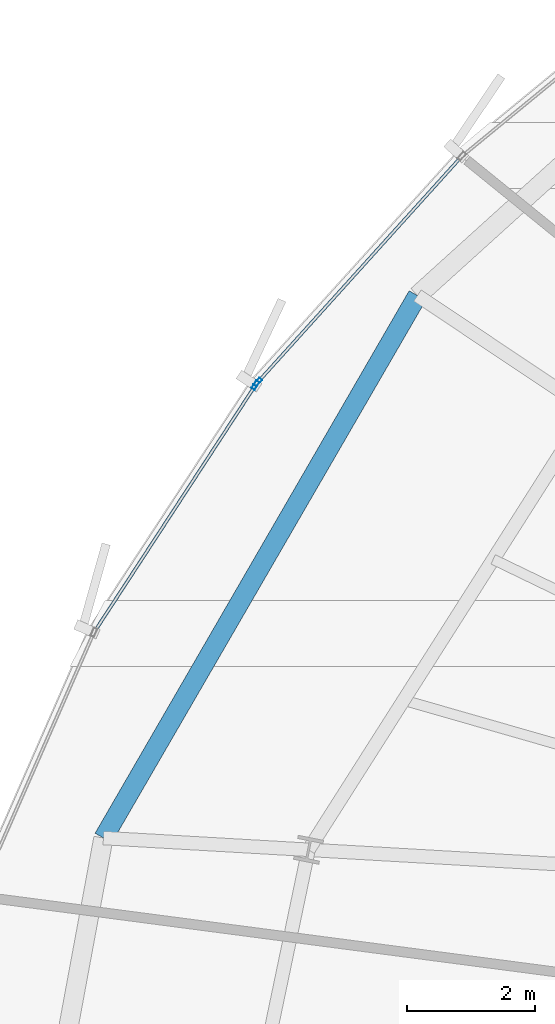
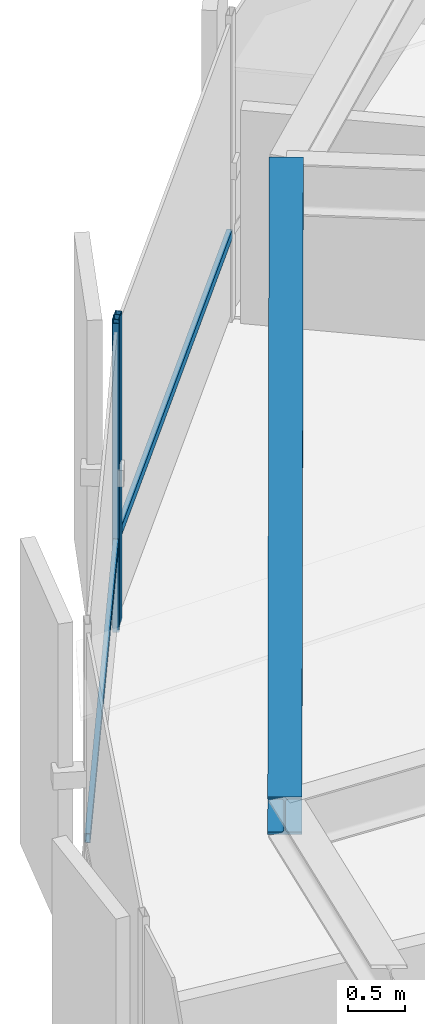
# One storey, part 17 of 36: 4 members, 1 beam, 2 elements without a shape of their own.
"""IFC4 building model written with IfcOpenShell, lengths in metres."""

from ifc_helpers import new_model, si_unit, direction, frame, origin, origin_2d, place, context, subcontext, project, spatial, hollow_rectangle, i_section, extrude, source, transform, mapped, material, layer, layer_set, material_profile, profile_set, type_object, element, aggregate, save


model = new_model("IFC4")

# Units and contexts
model_context = context("Model", 3, precision=1e-05, world=origin(), true_north=direction((0.0, 1.0)))
body_context = subcontext(model_context, "Body", "Model", "MODEL_VIEW")
ifc_project = project(units=[si_unit("LENGTHUNIT", "METRE"), si_unit("AREAUNIT", "SQUARE_METRE"), si_unit("VOLUMEUNIT", "CUBIC_METRE"), si_unit("PLANEANGLEUNIT", "RADIAN"), si_unit("MASSUNIT", "GRAM", prefix="KILO"), si_unit("THERMODYNAMICTEMPERATUREUNIT", "KELVIN")], contexts=[model_context])

# Site, building, storey
site_placement = place(None, origin())
site = spatial("IfcSite", under=ifc_project, at=site_placement, CompositionType="ELEMENT")
building_placement = place(site_placement, origin())
building = spatial("IfcBuilding", under=site, at=building_placement, Name="Kethvar Cultural Tower", CompositionType="ELEMENT")
storey_placement = place(building_placement, frame((0.0, 0.0, 143.0)))
storey = spatial("IfcBuildingStorey", under=building, at=storey_placement, Name="L36", CompositionType="ELEMENT", Elevation=143.0)

# Beam
ifc_material_1 = material(Name="Steel S355J2", Category="steel")
ifc_material_profile_1 = material_profile(ifc_material_1, i_section(OverallWidth=0.300048828125, OverallDepth=0.39990234375, WebThickness=0.013427734375, FlangeThickness=0.02392578125, FilletRadius=0.027099609375, at=origin_2d()), Name="Steel S355J2 — HEB400")
ifc_profile_set_1 = profile_set([ifc_material_profile_1], Name="Steel S355J2 — HEB400")
beam_type = type_object("IfcBeamType", Name="BM-SP400", PredefinedType="SPANDREL", material=ifc_profile_set_1)
shared_shape_1 = source(origin(), body_context, "Body", "SweptSolid", [
    extrude(i_section(OverallWidth=0.300048828125, OverallDepth=0.39990234375, WebThickness=0.013427734375, FlangeThickness=0.02392578125, FilletRadius=0.027099609375, at=origin_2d()), origin(), (0.0, 0.0, 1.0), 9.762939453125),
])
beam_placement = place(storey_placement, frame((27.685302734375, 40.572021484375, 3.097900390625), z_axis=(-0.501043170838, -0.865422290536, 0.0), x_axis=(0.865422290536, -0.501043170838, 0.0)))
element("IfcBeam", 1, at=beam_placement, inside=storey, type_object=beam_type, Name="L36 Perimeter Spandrel Beam SP-07", PredefinedType="SPANDREL", context=body_context, shape_type="MappedRepresentation", body=[
    mapped(shared_shape_1, transform((0.0, 0.0, 0.0), scale=1.0)),
])

# Curtain wall, member
ifc_material_2 = material(Name="Aluminium 6063-T6", Category="aluminium")
ifc_layer = layer(ifc_material_2, 0.179931640625, Name="Aluminium 6063-T6", Category="aluminium")
ifc_layer_set = layer_set([ifc_layer], Name="Aluminium 6063-T6 (180 mm)")
curtain_wall_type = type_object("IfcCurtainWallType", Name="CW-SYS-04-Z34", PredefinedType="NOTDEFINED", material=ifc_layer_set)
curtain_wall_1_placement = place(storey_placement, origin())
curtain_wall_1 = element("IfcCurtainWall", 2, at=curtain_wall_1_placement, inside=storey, type_object=curtain_wall_type, Name="L36 Curtain Wall Run 02", PredefinedType="NOTDEFINED")
ifc_material_profile_2 = material_profile(ifc_material_2, hollow_rectangle(XDim=0.06005859375, YDim=0.139892578125, WallThickness=0.0048828125, at=origin_2d()), Name="Aluminium 6063-T6 — RHS140x60x5")
ifc_profile_set_2 = profile_set([ifc_material_profile_2], Name="Aluminium 6063-T6 — RHS140x60x5")
member_type_1 = type_object("IfcMemberType", Name="CW-SYS-04-Z34-MUL", PredefinedType="MULLION", material=ifc_profile_set_2)
shared_shape_2 = source(origin(), body_context, "Body", "SweptSolid", [
    extrude(hollow_rectangle(XDim=0.06005859375, YDim=0.139892578125, WallThickness=0.0048828125, at=origin_2d()), origin(), (0.0, 0.0, 1.0), 3.300048828125),
])
member_1_placement = place(storey_placement, frame((25.19775390625, 39.222900390625, 0.0), z_axis=(0.0, 0.0, 1.0), x_axis=(0.742198122061, -0.670180533594, 0.0)))
member_1 = element("IfcMember", 3, at=member_1_placement, type_object=member_type_1, Name="CW-L36-R02 Mullion 7", PredefinedType="MULLION", context=body_context, shape_type="MappedRepresentation", body=[
    mapped(shared_shape_2, transform((0.0, 0.0, 0.0), scale=1.0)),
])

curtain_wall_2_placement = place(storey_placement, origin())
curtain_wall_2 = element("IfcCurtainWall", 4, at=curtain_wall_2_placement, inside=storey, type_object=curtain_wall_type, Name="L36 Curtain Wall Run 03", PredefinedType="NOTDEFINED")
member_2_placement = place(storey_placement, frame((25.160888671875, 39.1748046875, 0.0), z_axis=(0.0, 0.0, 1.0), x_axis=(0.837308635819, -0.546730508005, 0.0)))
member_2 = element("IfcMember", 5, at=member_2_placement, type_object=member_type_1, Name="CW-L36-R03 Mullion 1", PredefinedType="MULLION", context=body_context, shape_type="MappedRepresentation", body=[
    mapped(shared_shape_2, transform((0.0, 0.0, 0.0), scale=1.0)),
])

# Member
ifc_material_profile_3 = material_profile(ifc_material_2, hollow_rectangle(XDim=0.050048828125, YDim=0.10009765625, WallThickness=0.00390625, at=origin_2d()), Name="Aluminium 6063-T6 — RHS100x50x4")
ifc_profile_set_3 = profile_set([ifc_material_profile_3], Name="Aluminium 6063-T6 — RHS100x50x4")
member_type_2 = type_object("IfcMemberType", Name="CW-SYS-04-Z34-TRN", PredefinedType="USERDEFINED", material=ifc_profile_set_3)
shared_shape_3 = source(origin(), body_context, "Body", "SweptSolid", [
    extrude(hollow_rectangle(XDim=0.050048828125, YDim=0.10009765625, WallThickness=0.00390625, at=origin_2d()), origin(), (0.0, 0.0, 1.0), 4.69580078125),
])
member_3_placement = place(storey_placement, frame((28.34765625, 42.711181640625, 0.949951171875), z_axis=(-0.670158789187, -0.742217755969, 0.0), x_axis=(0.742217755969, -0.670158789187, 0.0)))
member_3 = element("IfcMember", 6, at=member_3_placement, type_object=member_type_2, Name="CW-L36-R02 Transom 6", ObjectType="TRANSOM", PredefinedType="USERDEFINED", context=body_context, shape_type="MappedRepresentation", body=[
    mapped(shared_shape_3, transform((0.0, 0.0, 0.0), scale=1.0)),
])

aggregate(curtain_wall_1, [member_1, member_3])

shared_shape_4 = source(origin(), body_context, "Body", "SweptSolid", [
    extrude(hollow_rectangle(XDim=0.050048828125, YDim=0.10009765625, WallThickness=0.00390625, at=origin_2d()), origin(), (0.0, 0.0, 1.0), 4.56884765625),
])
member_4_placement = place(storey_placement, frame((25.158447265625, 39.17138671875, 0.949951171875), z_axis=(-0.546696396054, -0.837330908627, 0.0), x_axis=(0.837330908627, -0.546696396054, 0.0)))
member_4 = element("IfcMember", 7, at=member_4_placement, type_object=member_type_2, Name="CW-L36-R03 Transom 1", ObjectType="TRANSOM", PredefinedType="USERDEFINED", context=body_context, shape_type="MappedRepresentation", body=[
    mapped(shared_shape_4, transform((0.0, 0.0, 0.0), scale=1.0)),
])

aggregate(curtain_wall_2, [member_2, member_4])

save(model, "model.ifc")
